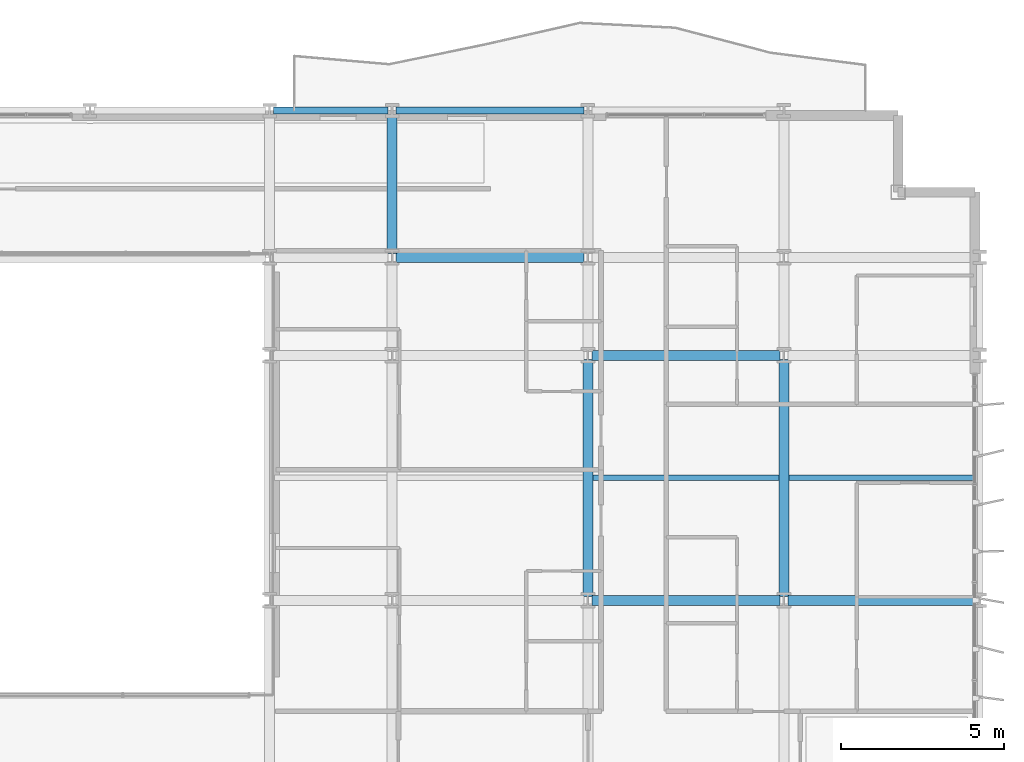
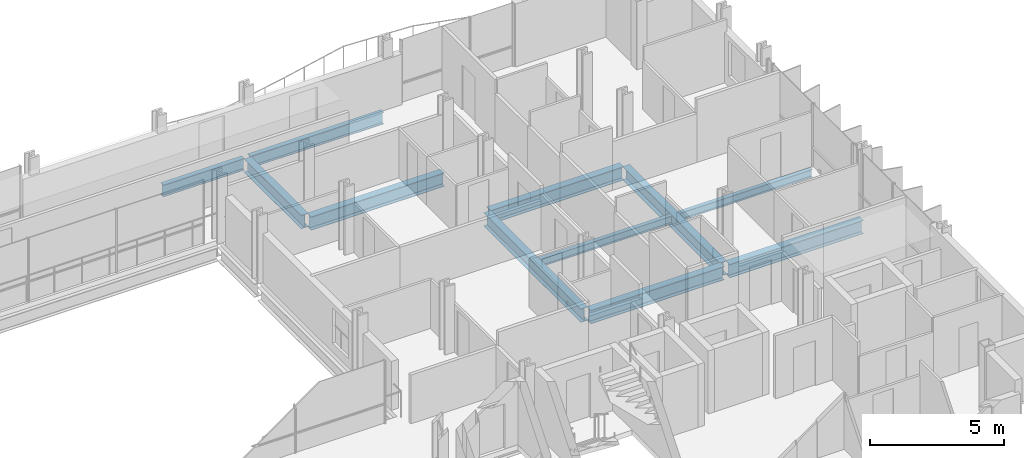
# One storey, part 18 of 38: 11 beams.
"""IFC4 building model written with IfcOpenShell, lengths in metres."""

from ifc_helpers import new_model, si_unit, direction, frame, origin, origin_2d, place, context, subcontext, project, spatial, i_section, extrude, material, material_profile, profile_set, type_object, element, save


model = new_model("IFC4")

# Units and contexts
model_context = context("Model", 3, precision=1e-05, world=origin(), true_north=direction((0.0, 1.0)))
body_context = subcontext(model_context, "Body", "Model", "MODEL_VIEW")
ifc_project = project(units=[si_unit("LENGTHUNIT", "METRE"), si_unit("AREAUNIT", "SQUARE_METRE"), si_unit("VOLUMEUNIT", "CUBIC_METRE"), si_unit("PLANEANGLEUNIT", "RADIAN"), si_unit("MASSUNIT", "GRAM", prefix="KILO")], contexts=[model_context])

# Site, building, storey
site_placement = place(None, origin())
site = spatial("IfcSite", under=ifc_project, at=site_placement, CompositionType="ELEMENT")
building_placement = place(site_placement, origin())
building = spatial("IfcBuilding", under=site, at=building_placement, Name="Brevholm Reach", CompositionType="ELEMENT")
storey_placement = place(building_placement, frame((0.0, 0.0, 59.0)))
storey = spatial("IfcBuildingStorey", under=building, at=storey_placement, Name="L16", CompositionType="ELEMENT", Elevation=59.0)

# Beams
ifc_material_1 = material(Name="Structural Steel S355J2", Category="steel")
ifc_material_profile_1 = material_profile(ifc_material_1, i_section(OverallWidth=0.17138671875, OverallDepth=0.35498046875, WebThickness=0.00732421875, FlangeThickness=0.011474609375, FilletRadius=0.01025390625, at=origin_2d()), Name="UKB 356x171x51")
ifc_profile_set_1 = profile_set([ifc_material_profile_1], Name="Structural Steel S355J2")
beam_type_1 = type_object("IfcBeamType", Name="BM-B356", PredefinedType="BEAM", material=ifc_profile_set_1)
beam_1_placement = place(storey_placement, frame((48.153564453125, 19.75, -0.407470703125), z_axis=(1.0, 0.0, 0.0), x_axis=(0.0, 1.0, 0.0)))
element("IfcBeam", 1, at=beam_1_placement, inside=storey, type_object=beam_type_1, Name="L16 Composite Secondary Floor Beam", PredefinedType="BEAM", context=body_context, shape_type="SweptSolid", body=[
    extrude(i_section(OverallWidth=0.17138671875, OverallDepth=0.35498046875, WebThickness=0.00732421875, FlangeThickness=0.011474609375, FilletRadius=0.01025390625, at=origin_2d()), origin(), (0.0, 0.0, 1.0), 5.69287109375),
])
beam_2_placement = place(storey_placement, frame((54.153564453125, 19.75, -0.407470703125), z_axis=(1.0, 0.0, 0.0), x_axis=(0.0, 1.0, 0.0)))
element("IfcBeam", 2, at=beam_2_placement, inside=storey, type_object=beam_type_1, Name="L16 Composite Secondary Floor Beam", PredefinedType="BEAM", context=body_context, shape_type="SweptSolid", body=[
    extrude(i_section(OverallWidth=0.17138671875, OverallDepth=0.35498046875, WebThickness=0.00732421875, FlangeThickness=0.011474609375, FilletRadius=0.01025390625, at=origin_2d()), origin(), (0.0, 0.0, 1.0), 5.740966796875),
])
ifc_material_2 = material(Name="Structural Steel S355J2", Category="steel")
ifc_material_profile_2 = material_profile(ifc_material_2, i_section(OverallWidth=0.210693359375, OverallDepth=0.53955078125, WebThickness=0.01171875, FlangeThickness=0.018798828125, FilletRadius=0.0126953125, at=origin_2d()), Name="UKB 533x210x109")
ifc_profile_set_2 = profile_set([ifc_material_profile_2], Name="Structural Steel S355J2")
beam_type_2 = type_object("IfcBeamType", Name="BM-SP539", PredefinedType="SPANDREL", material=ifc_profile_set_2)
beam_3_placement = place(storey_placement, frame((38.3701171875, 31.0, -0.499755859375), z_axis=(1.0, 0.0, 0.0), x_axis=(0.0, 1.0, 0.0)))
element("IfcBeam", 3, at=beam_3_placement, inside=storey, type_object=beam_type_2, Name="L16 SP-01B Framing Beam", PredefinedType="SPANDREL", context=body_context, shape_type="SweptSolid", body=[
    extrude(i_section(OverallWidth=0.210693359375, OverallDepth=0.53955078125, WebThickness=0.01171875, FlangeThickness=0.018798828125, FilletRadius=0.0126953125, at=origin_2d()), origin(), (0.0, 0.0, 1.0), 3.509765625),
])
beam_4_placement = place(storey_placement, frame((42.1201171875, 31.0, -0.499755859375), z_axis=(1.0, 0.0, 0.0), x_axis=(0.0, 1.0, 0.0)))
element("IfcBeam", 4, at=beam_4_placement, inside=storey, type_object=beam_type_2, Name="L16 SP-01B Framing Beam", PredefinedType="SPANDREL", context=body_context, shape_type="SweptSolid", body=[
    extrude(i_section(OverallWidth=0.210693359375, OverallDepth=0.53955078125, WebThickness=0.01171875, FlangeThickness=0.018798828125, FilletRadius=0.0126953125, at=origin_2d()), origin(), (0.0, 0.0, 1.0), 5.759765625),
])
ifc_material_3 = material(Name="Structural Steel S355J2", Category="steel")
ifc_material_profile_3 = material_profile(ifc_material_3, i_section(OverallWidth=0.30712890625, OverallDepth=0.6201171875, WebThickness=0.01416015625, FlangeThickness=0.023681640625, FilletRadius=0.0166015625, at=origin_2d()), Name="UKB 610x305x179")
ifc_profile_set_3 = profile_set([ifc_material_profile_3], Name="Structural Steel S355J2")
beam_type_3 = type_object("IfcBeamType", Name="BM-UKB610H", PredefinedType="USERDEFINED", material=ifc_profile_set_3)
for number, where, z_axis, x_axis, name in (
    (5, (48.1201171875, 16.0, -0.5400390625), (1.0, 0.0, 0.0), (0.0, 1.0, 0.0), "L16 G-06 Framing Beam"),
    (6, (54.1201171875, 16.0, -0.5400390625), (1.0, 0.0, 0.0), (0.0, 1.0, 0.0), "L16 G-06 Framing Beam"),
    (7, (48.1201171875, 23.5, -0.5400390625), (1.0, 0.0, 0.0), (0.0, 1.0, 0.0), "L16 G-06 Framing Beam"),
    (8, (42.1201171875, 26.5, -0.5400390625), (1.0, 0.0, 0.0), (0.0, 1.0, 0.0), "L16 G-06 Framing Beam"),
):
    element("IfcBeam", number, at=place(storey_placement, frame(where, z_axis=z_axis, x_axis=x_axis)), inside=storey, type_object=beam_type_3, Name=name, ObjectType="GIRDER", PredefinedType="USERDEFINED", context=body_context, shape_type="SweptSolid", body=[
        extrude(i_section(OverallWidth=0.30712890625, OverallDepth=0.6201171875, WebThickness=0.01416015625, FlangeThickness=0.023681640625, FilletRadius=0.0166015625, at=origin_2d()), origin(), (0.0, 0.0, 1.0), 5.759765625),
    ])
beam_5_placement = place(storey_placement, frame((42.0, 26.6201171875, -0.5400390625), z_axis=(0.0, 1.0, 0.0), x_axis=(-1.0, 0.0, 0.0)))
element("IfcBeam", 9, at=beam_5_placement, inside=storey, type_object=beam_type_3, Name="L16 G-06 Framing Beam", ObjectType="GIRDER", PredefinedType="USERDEFINED", context=body_context, shape_type="SweptSolid", body=[
    extrude(i_section(OverallWidth=0.30712890625, OverallDepth=0.6201171875, WebThickness=0.01416015625, FlangeThickness=0.023681640625, FilletRadius=0.0166015625, at=origin_2d()), origin(), (0.0, 0.0, 1.0), 4.259765625),
])
for number, where, z_axis, x_axis, name in (
    (10, (48.0, 16.1201171875, -0.5400390625), (0.0, 1.0, 0.0), (-1.0, 0.0, 0.0), "L16 G-06 Framing Beam"),
    (11, (54.0, 16.1201171875, -0.5400390625), (0.0, 1.0, 0.0), (-1.0, 0.0, 0.0), "L16 G-06 Framing Beam"),
):
    element("IfcBeam", number, at=place(storey_placement, frame(where, z_axis=z_axis, x_axis=x_axis)), inside=storey, type_object=beam_type_3, Name=name, ObjectType="GIRDER", PredefinedType="USERDEFINED", context=body_context, shape_type="SweptSolid", body=[
        extrude(i_section(OverallWidth=0.30712890625, OverallDepth=0.6201171875, WebThickness=0.01416015625, FlangeThickness=0.023681640625, FilletRadius=0.0166015625, at=origin_2d()), origin(), (0.0, 0.0, 1.0), 7.259765625),
    ])

save(model, "model.ifc")
